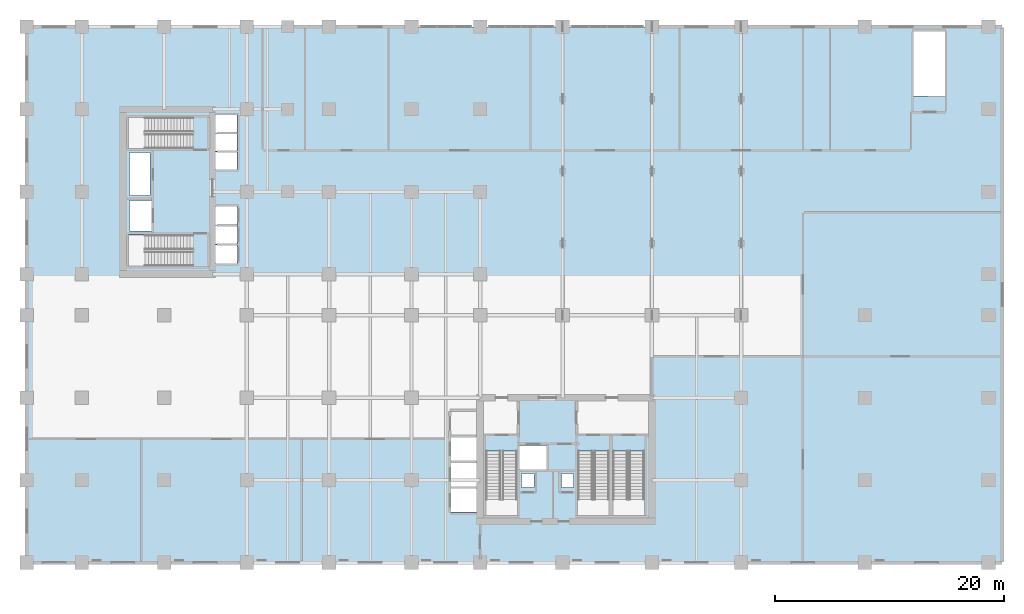
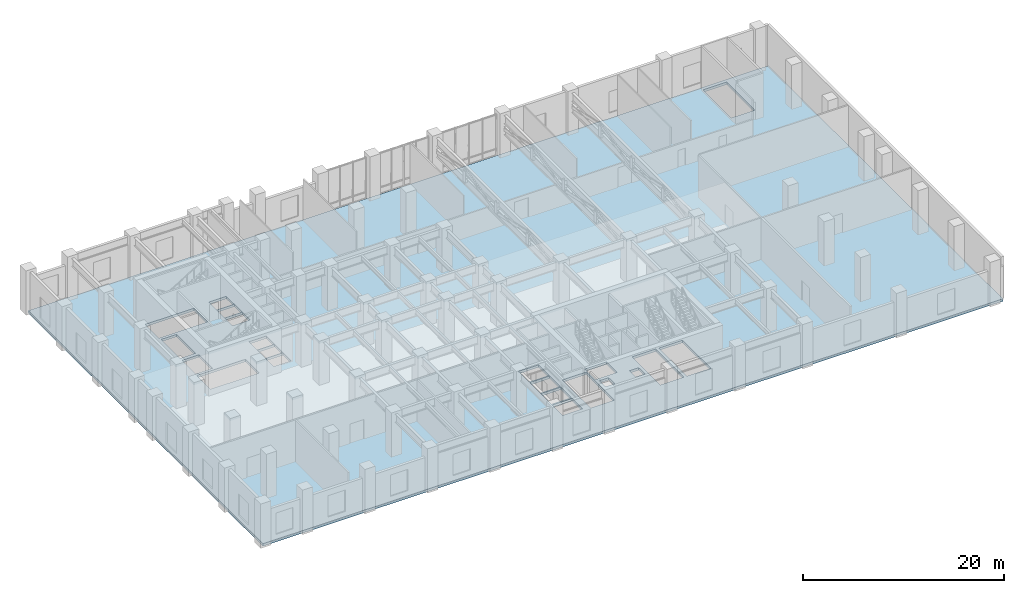
# One storey, part 6 of 19: 1 slab.
"""IFC4 building model written with IfcOpenShell, lengths in metres."""

from ifc_helpers import new_model, si_unit, derived_unit, direction, frame, origin, place, context, subcontext, project, spatial, polyline, outline, extrude, material, layer, layer_set, type_object, element, save


model = new_model("IFC4")

# Units and contexts
model_context = context("Model", 3, precision=1e-05, world=origin(), true_north=direction((0.0, 1.0)))
body_context = subcontext(model_context, "Body", "Model", "MODEL_VIEW")
ifc_project = project(units=[si_unit("LENGTHUNIT", "METRE"), si_unit("AREAUNIT", "SQUARE_METRE"), si_unit("VOLUMEUNIT", "CUBIC_METRE"), si_unit("PLANEANGLEUNIT", "RADIAN"), si_unit("MASSUNIT", "GRAM", prefix="KILO"), si_unit("THERMODYNAMICTEMPERATUREUNIT", "KELVIN"), si_unit("POWERUNIT", "WATT"), derived_unit("THERMALTRANSMITTANCEUNIT", [(si_unit("POWERUNIT", "WATT"), 1), (si_unit("AREAUNIT", "SQUARE_METRE"), -1), (si_unit("THERMODYNAMICTEMPERATUREUNIT", "KELVIN"), -1)])], contexts=[model_context])

# Site, building, storey
site_placement = place(None, origin())
site = spatial("IfcSite", under=ifc_project, at=site_placement, CompositionType="ELEMENT")
building_placement = place(site_placement, origin())
building = spatial("IfcBuilding", under=site, at=building_placement, Name="Zahravan Archway Hotel and Residences", CompositionType="ELEMENT")
storey_placement = place(building_placement, frame((0.0, 0.0, 21.60009765625)))
storey = spatial("IfcBuildingStorey", under=building, at=storey_placement, Name="L04", CompositionType="ELEMENT", Elevation=21.60009765625)

# Slab
ifc_material = material(Name="Concrete C50/60", Category="concrete")
ifc_layer = layer(ifc_material, 0.300048828125, Name="Concrete C50/60", Category="concrete")
ifc_layer_set = layer_set([ifc_layer], Name="Concrete C50/60")
slab_type = type_object("IfcSlabType", Name="SLB-FLR-300", PredefinedType="FLOOR", material=ifc_layer_set)
slab_placement = place(storey_placement, frame((0.0, 0.0, -0.300048828125)))
element("IfcSlab", 1, at=slab_placement, inside=storey, type_object=slab_type, Name="L04 Floor Slab MAIN", PredefinedType="FLOOR", context=body_context, shape_type="SweptSolid", body=[
    extrude(outline(polyline([(-4.800048828125, 0.0), (80.39990234375, 0.0), (80.39990234375, 46.800048828125), (-4.800048828125, 46.800048828125), (-4.800048828125, 0.0)]), holes=[polyline([(35.300048828125, 9.72998046875), (35.300048828125, 4.10009765625), (38.0400390625, 4.10009765625), (38.0400390625, 9.72998046875), (35.300048828125, 9.72998046875)]), polyline([(43.320068359375, 9.72998046875), (43.320068359375, 4.10009765625), (46.06005859375, 4.10009765625), (46.06005859375, 9.72998046875), (43.320068359375, 9.72998046875)]), polyline([(46.39990234375, 9.72998046875), (46.39990234375, 4.10009765625), (49.139892578125, 4.10009765625), (49.139892578125, 9.72998046875), (46.39990234375, 9.72998046875)]), polyline([(9.72998046875, 28.639892578125), (4.10009765625, 28.639892578125), (4.10009765625, 25.89990234375), (9.72998046875, 25.89990234375), (9.72998046875, 28.639892578125)]), polyline([(9.72998046875, 38.89990234375), (4.10009765625, 38.89990234375), (4.10009765625, 36.159912109375), (9.72998046875, 36.159912109375), (9.72998046875, 38.89990234375)]), polyline([(75.39990234375, 40.77001953125), (75.39990234375, 46.39990234375), (72.659912109375, 46.39990234375), (72.659912109375, 40.77001953125), (75.39990234375, 40.77001953125)]), polyline([(38.179931640625, 8.14990234375), (40.699951171875, 8.14990234375), (40.699951171875, 10.25), (38.179931640625, 10.25), (38.179931640625, 8.14990234375)]), polyline([(4.14990234375, 28.949951171875), (6.10009765625, 28.949951171875), (6.10009765625, 31.64990234375), (4.14990234375, 31.64990234375), (4.14990234375, 28.949951171875)]), polyline([(11.550048828125, 26.14990234375), (13.550048828125, 26.14990234375), (13.550048828125, 27.75), (11.550048828125, 27.75), (11.550048828125, 26.14990234375)]), polyline([(11.550048828125, 27.830078125), (13.550048828125, 27.830078125), (13.550048828125, 29.429931640625), (11.550048828125, 29.429931640625), (11.550048828125, 27.830078125)]), polyline([(11.550048828125, 29.510009765625), (13.550048828125, 29.510009765625), (13.550048828125, 31.110107421875), (11.550048828125, 31.110107421875), (11.550048828125, 29.510009765625)]), polyline([(11.550048828125, 34.35009765625), (13.550048828125, 34.35009765625), (13.550048828125, 35.889892578125), (11.550048828125, 35.889892578125), (11.550048828125, 34.35009765625)]), polyline([(11.550048828125, 35.949951171875), (13.550048828125, 35.949951171875), (13.550048828125, 37.489990234375), (11.550048828125, 37.489990234375), (11.550048828125, 35.949951171875)]), polyline([(11.550048828125, 37.550048828125), (13.550048828125, 37.550048828125), (13.550048828125, 39.090087890625), (11.550048828125, 39.090087890625), (11.550048828125, 37.550048828125)]), polyline([(32.25, 4.39990234375), (34.550048828125, 4.39990234375), (34.550048828125, 6.47998046875), (32.25, 6.47998046875), (32.25, 4.39990234375)]), polyline([(32.25, 6.639892578125), (34.550048828125, 6.639892578125), (34.550048828125, 8.719970703125), (32.25, 8.719970703125), (32.25, 6.639892578125)]), polyline([(32.25, 8.8798828125), (34.550048828125, 8.8798828125), (34.550048828125, 10.9599609375), (32.25, 10.9599609375), (32.25, 8.8798828125)]), polyline([(32.25, 11.1201171875), (34.550048828125, 11.1201171875), (34.550048828125, 13.199951171875), (32.25, 13.199951171875), (32.25, 11.1201171875)]), polyline([(38.419921875, 6.56005859375), (39.5, 6.56005859375), (39.5, 7.780029296875), (38.419921875, 7.780029296875), (38.419921875, 6.56005859375)]), polyline([(41.89990234375, 6.56005859375), (42.9599609375, 6.56005859375), (42.9599609375, 7.780029296875), (41.89990234375, 7.780029296875), (41.89990234375, 6.56005859375)]), polyline([(4.179931640625, 32.050048828125), (5.93994140625, 32.050048828125), (5.93994140625, 35.840087890625), (4.179931640625, 35.840087890625), (4.179931640625, 32.050048828125)])]), origin(), (0.0, 0.0, 1.0), 0.300048828125),
])

save(model, "model.ifc")
